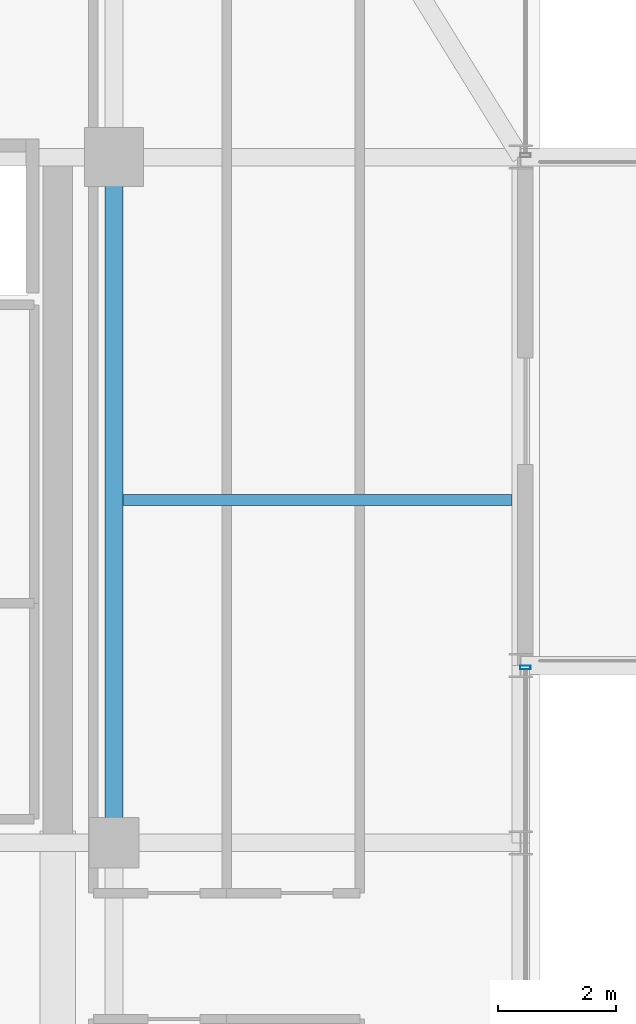
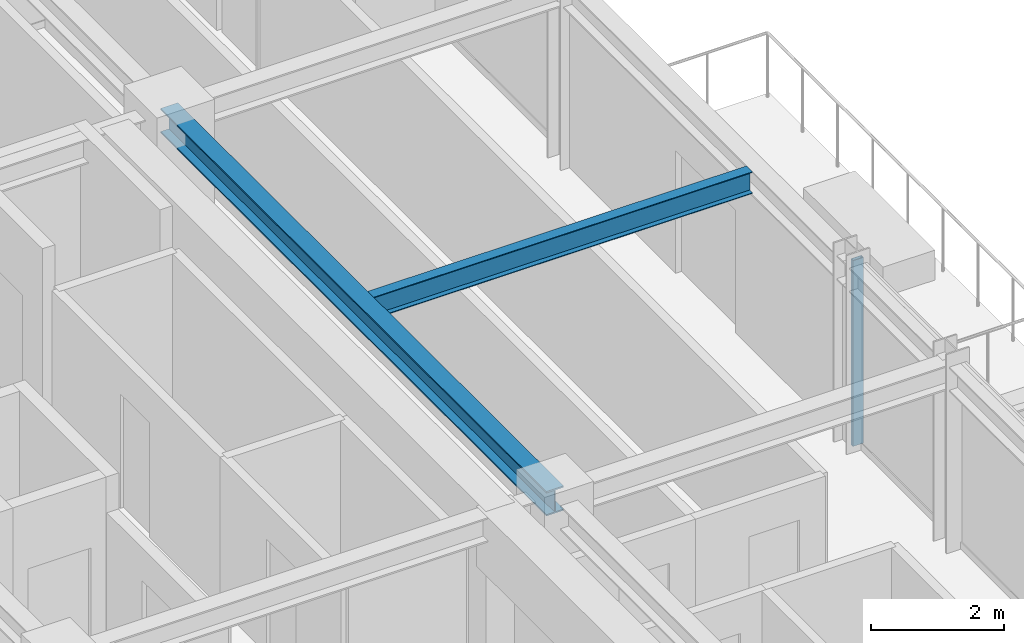
# One storey, part 24 of 36: 2 beams, 1 member, 1 element without a shape of its own.
"""IFC4 building model written with IfcOpenShell, lengths in metres."""

from ifc_helpers import new_model, si_unit, direction, frame, origin, origin_2d, place, context, subcontext, project, spatial, hollow_rectangle, i_section, extrude, source, transform, mapped, material, material_profile, profile_set, type_object, element, aggregate, save


model = new_model("IFC4")

# Units and contexts
model_context = context("Model", 3, precision=1e-05, world=origin(), true_north=direction((0.0, 1.0)))
body_context = subcontext(model_context, "Body", "Model", "MODEL_VIEW")
ifc_project = project(units=[si_unit("LENGTHUNIT", "METRE"), si_unit("AREAUNIT", "SQUARE_METRE"), si_unit("VOLUMEUNIT", "CUBIC_METRE"), si_unit("PLANEANGLEUNIT", "RADIAN"), si_unit("MASSUNIT", "GRAM", prefix="KILO")], contexts=[model_context])

# Site, building, storey
site_placement = place(None, origin())
site = spatial("IfcSite", under=ifc_project, at=site_placement, CompositionType="ELEMENT")
building_placement = place(site_placement, origin())
building = spatial("IfcBuilding", under=site, at=building_placement, Name="Nahalor Promenade Grand Hotel", CompositionType="ELEMENT")
storey_placement = place(building_placement, frame((0.0, 0.0, 223.39990234375)))
storey = spatial("IfcBuildingStorey", under=building, at=storey_placement, Name="L57", CompositionType="ELEMENT", Elevation=223.39990234375)

# Beams
ifc_material_1 = material(Name="Steel S355JR", Category="steel")
ifc_material_profile_1 = material_profile(ifc_material_1, i_section(OverallWidth=0.3, OverallDepth=0.45, WebThickness=0.014, FlangeThickness=0.026, at=origin_2d()), Name="HEB 450")
ifc_profile_set_1 = profile_set([ifc_material_profile_1], Name="Steel S355JR")
beam_type_1 = type_object("IfcBeamType", Name="Beam-Girder-HEB450", PredefinedType="BEAM", material=ifc_profile_set_1)
shared_shape_1 = source(origin(), body_context, "Body", "SweptSolid", [
    extrude(i_section(OverallWidth=0.3, OverallDepth=0.45, WebThickness=0.014, FlangeThickness=0.026, at=origin_2d()), origin(), (0.0, 0.0, 1.0), 11.60009765625),
])
beam_1_placement = place(storey_placement, frame((17.0, 5.39990234375, 3.18505859375), z_axis=(0.0, 1.0, 0.0), x_axis=(-1.0, 0.0, 0.0)))
element("IfcBeam", 1, at=beam_1_placement, inside=storey, type_object=beam_type_1, Name="BM-L57-GY-5-3", PredefinedType="BEAM", context=body_context, shape_type="MappedRepresentation", body=[
    mapped(shared_shape_1, transform((0.0, 0.0, 0.0), scale=1.0)),
])
ifc_material_profile_2 = material_profile(ifc_material_1, i_section(OverallWidth=0.18, OverallDepth=0.4, WebThickness=0.0086, FlangeThickness=0.0135, at=origin_2d()), Name="IPE 400")
ifc_profile_set_2 = profile_set([ifc_material_profile_2], Name="Steel S355JR")
beam_type_2 = type_object("IfcBeamType", Name="Beam-Joist-IPE400", PredefinedType="JOIST", material=ifc_profile_set_2)
shared_shape_2 = source(origin(), body_context, "Body", "SweptSolid", [
    extrude(i_section(OverallWidth=0.18, OverallDepth=0.4, WebThickness=0.0086, FlangeThickness=0.0135, at=origin_2d()), origin(), (0.0, 0.0, 1.0), 6.580078125),
])
beam_2_placement = place(storey_placement, frame((17.14990234375, 11.199951171875, 3.210205078125), z_axis=(1.0, 0.0, 0.0), x_axis=(0.0, 1.0, 0.0)))
element("IfcBeam", 2, at=beam_2_placement, inside=storey, type_object=beam_type_2, Name="BM-L57-JSE-1-2", PredefinedType="JOIST", context=body_context, shape_type="MappedRepresentation", body=[
    mapped(shared_shape_2, transform((0.0, 0.0, 0.0), scale=1.0)),
])

# Curtain wall, member
ifc_material_2 = material(Name="Anodised Bronze Aluminium EN AW-6063 T6", Category="aluminium")
curtain_wall_type = type_object("IfcCurtainWallType", Name="CW2 Typical Hotel Flush Bronze Unitised Curtain Wall", PredefinedType="USERDEFINED", material=ifc_material_2)
curtain_wall_placement = place(storey_placement, origin())
curtain_wall = element("IfcCurtainWall", 3, at=curtain_wall_placement, inside=storey, type_object=curtain_wall_type, Name="L57 Curtain Wall CW-L57-E-1", ObjectType="UNITISED_CURTAIN_WALL", PredefinedType="USERDEFINED")
ifc_material_profile_3 = material_profile(ifc_material_2, hollow_rectangle(XDim=0.065, YDim=0.18, WallThickness=0.004, at=origin_2d()), Name="CWM 65x180x4")
ifc_profile_set_3 = profile_set([ifc_material_profile_3], Name="Anodised Bronze Aluminium EN AW-6063 T6")
member_type = type_object("IfcMemberType", Name="CWM2 Typical Bronze Mullion 65x180", PredefinedType="MULLION", material=ifc_profile_set_3)
shared_shape_3 = source(origin(), body_context, "Body", "SweptSolid", [
    extrude(hollow_rectangle(XDim=0.065, YDim=0.18, WallThickness=0.004, at=origin_2d()), origin(), (0.0, 0.0, 1.0), 3.41015625),
])
member_placement = place(storey_placement, frame((23.9599609375, 8.367431640625, 0.0), z_axis=(0.0, 0.0, 1.0), x_axis=(0.0, 1.0, 0.0)))
member = element("IfcMember", 4, at=member_placement, type_object=member_type, Name="CW-L57-E-1 Mullion 3", PredefinedType="MULLION", context=body_context, shape_type="MappedRepresentation", body=[
    mapped(shared_shape_3, transform((0.0, 0.0, 0.0), scale=1.0)),
])
aggregate(curtain_wall, [member])

save(model, "model.ifc")
